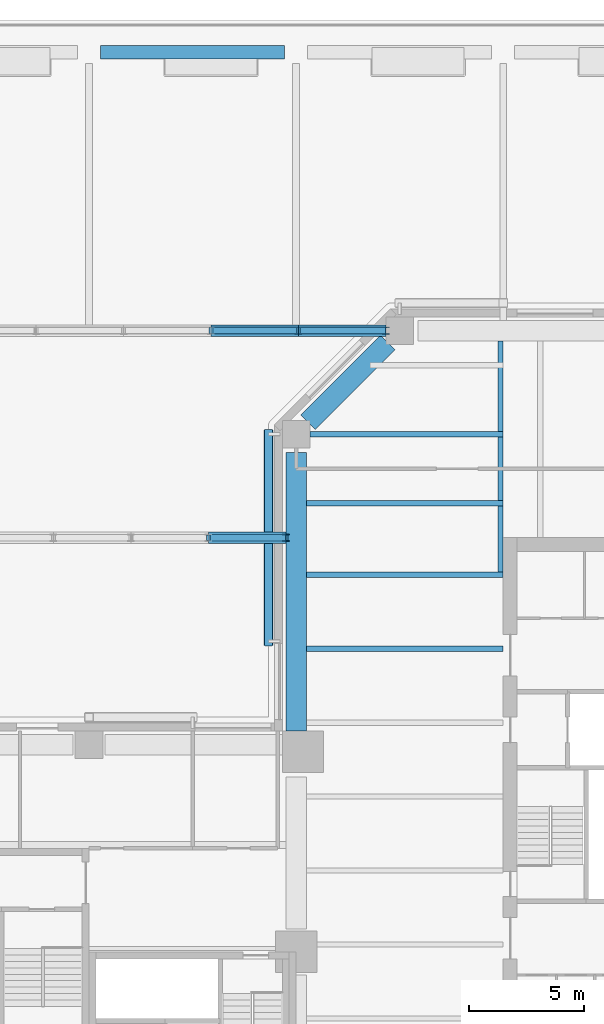
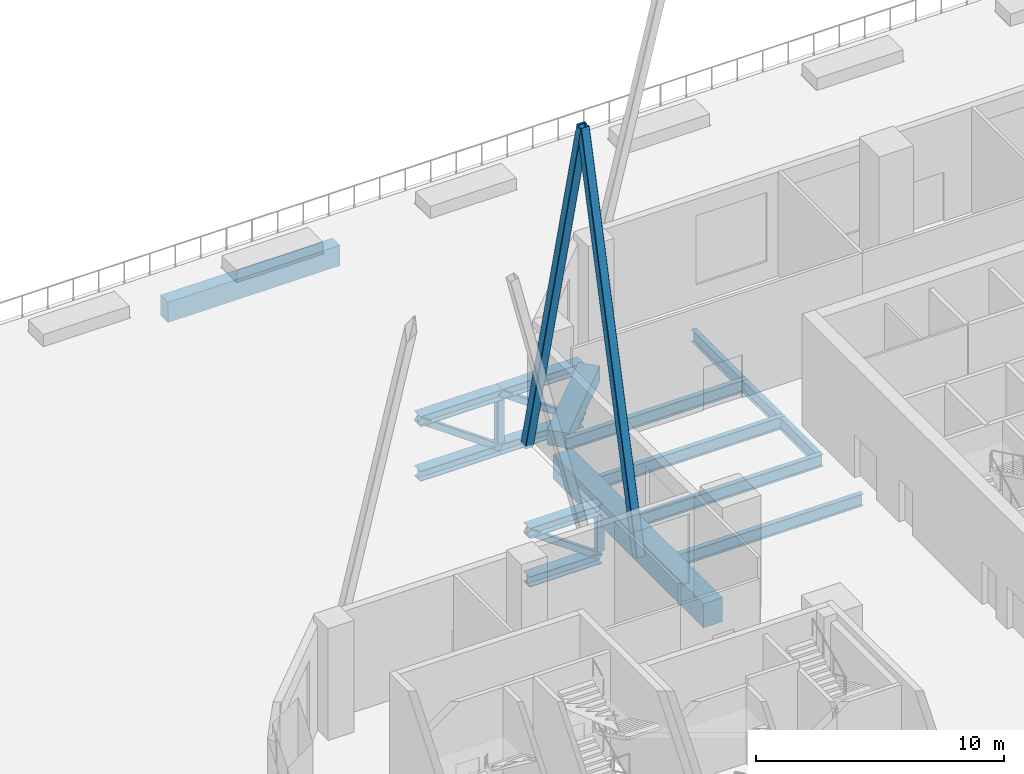
# One storey, part 13 of 33: 11 beams, 11 members.
"""IFC4 building model written with IfcOpenShell, lengths in metres."""

import ifcopenshell
import ifcopenshell.guid

model = None  # the IFC model being written
_history = None  # IfcOwnerHistory: only IFC2X3 demands one
_inside = {}  # id of a spatial element -> (the spatial element, [elements in it])
_under = {}  # id of a project, library or spatial element -> (it, [spatial elements below it])
_declared = {}  # id of a project -> (the project, [libraries it declares])
_typed = {}  # id of a type object -> (the type object, [elements of that type])
_made_of = {}  # id of a material, layer set ... -> (it, [elements and type objects made of it])


def new_model(schema):
    """Start an empty IFC model of exactly this schema.

    Asked for "IFC4X3", IfcOpenShell would pick the latest addendum, in which some entities
    have other attributes; the version numbers below select the first issue.
    IFC2X3 requires an IfcOwnerHistory on every rooted entity: one is made here for all.
    """
    global model, _history
    if schema == "IFC4X3":
        model = ifcopenshell.file(schema_version=(4, 3, 0, 0))
    else:
        model = ifcopenshell.file(schema=schema)
    _inside.clear()
    _under.clear()
    _declared.clear()
    _typed.clear()
    _made_of.clear()
    _history = None
    if model.schema == "IFC2X3":
        org = make("IfcOrganization", Name="unknown")
        user = make(
            "IfcPersonAndOrganization",
            ThePerson=make("IfcPerson", FamilyName="unknown"),
            TheOrganization=org,
        )
        app = make(
            "IfcApplication",
            ApplicationDeveloper=org,
            Version="unknown",
            ApplicationFullName="unknown",
            ApplicationIdentifier="unknown",
        )
        _history = make(
            "IfcOwnerHistory",
            OwningUser=user,
            OwningApplication=app,
            ChangeAction="ADDED",
            CreationDate=0,
        )
    return model


def make(cls, **values):
    """One entity of the class cls with the attributes given. An attribute that is None is left unset."""
    return model.create_entity(
        cls, **{name: value for name, value in values.items() if value is not None}
    )


def rooted(cls, **values):
    """An entity with a GlobalId (a new one), such as an element, a storey or a relation."""
    return make(cls, GlobalId=ifcopenshell.guid.new(), OwnerHistory=_history, **values)


def si_unit(unit_type, name, prefix=None):
    """IfcSIUnit, for example si_unit("LENGTHUNIT", "METRE", prefix="MILLI")."""
    return make("IfcSIUnit", UnitType=unit_type, Prefix=prefix, Name=name)


def assignment(units):
    """IfcUnitAssignment: the units of a project."""
    return None if units is None else make("IfcUnitAssignment", Units=units)


def point(xyz):
    """IfcCartesianPoint."""
    return None if xyz is None else make("IfcCartesianPoint", Coordinates=xyz)


def direction(xyz):
    """IfcDirection."""
    return None if xyz is None else make("IfcDirection", DirectionRatios=xyz)


def frame(location, z_axis=None, x_axis=None):
    """IfcAxis2Placement3D, a coordinate frame: its origin and axes. An axis left out is left unset."""
    return make(
        "IfcAxis2Placement3D",
        Location=point(location),
        Axis=direction(z_axis),
        RefDirection=direction(x_axis),
    )


def frame_2d(location, x_axis=None):
    """IfcAxis2Placement2D, a coordinate frame in the plane: its origin and x axis."""
    return make(
        "IfcAxis2Placement2D", Location=point(location), RefDirection=direction(x_axis)
    )


def origin():
    """The frame at (0, 0, 0) with its axes left unset."""
    return frame((0.0, 0.0, 0.0))


def origin_2d():
    """The frame at (0, 0) in the plane with its x axis left unset."""
    return frame_2d((0.0, 0.0))


def place(relative_to, where):
    """IfcLocalPlacement: puts the frame where relative to a parent placement (None: the world)."""
    return make(
        "IfcLocalPlacement", PlacementRelTo=relative_to, RelativePlacement=where
    )


def context(
    kind, dimensions, precision=None, world=None, true_north=None, identifier=None
):
    """IfcGeometricRepresentationContext, for example the 3D "Model" context."""
    return make(
        "IfcGeometricRepresentationContext",
        ContextIdentifier=identifier,
        ContextType=kind,
        CoordinateSpaceDimension=dimensions,
        Precision=precision,
        WorldCoordinateSystem=world,
        TrueNorth=true_north,
    )


def subcontext(parent, identifier, kind, view, scale=None):
    """IfcGeometricRepresentationSubContext, for example "Body" below "Model"."""
    return make(
        "IfcGeometricRepresentationSubContext",
        ContextIdentifier=identifier,
        ContextType=kind,
        ParentContext=parent,
        TargetScale=scale,
        TargetView=view,
    )


def project(units=None, contexts=None):
    """IfcProject with its units and contexts."""
    return rooted(
        "IfcProject",
        Name="project",
        RepresentationContexts=contexts,
        UnitsInContext=assignment(units),
    )


def spatial(cls, under=None, at=None, **own):
    """A site, building, storey or space (cls), placed at a placement, below another one or the project."""
    s = rooted(cls, ObjectPlacement=at, **own)
    if under is not None:
        _under.setdefault(under.id(), (under, []))[1].append(s)
    return s


def profile(cls, at=None, kind="AREA", **sizes):
    """A parametric profile (cls). Its sizes go by their IFC names, for example OverallWidth=200.0."""
    return make(cls, ProfileType=kind, Position=at, **sizes)


def rectangle(**sizes):
    """IfcRectangleProfileDef."""
    return profile("IfcRectangleProfileDef", **sizes)


def hollow_rectangle(**sizes):
    """IfcRectangleHollowProfileDef."""
    return profile("IfcRectangleHollowProfileDef", **sizes)


def i_section(**sizes):
    """IfcIShapeProfileDef."""
    return profile("IfcIShapeProfileDef", **sizes)


def extrude(swept, where, along, depth):
    """IfcExtrudedAreaSolid: the profile swept, set in the frame where, extruded along a direction by depth."""
    return make(
        "IfcExtrudedAreaSolid",
        SweptArea=swept,
        Position=where,
        ExtrudedDirection=direction(along),
        Depth=depth,
    )


def shape(context_of_items, identifier, shape_type, items):
    """IfcShapeRepresentation: the items that make up one representation, for example the "Body"."""
    return make(
        "IfcShapeRepresentation",
        ContextOfItems=context_of_items,
        RepresentationIdentifier=identifier,
        RepresentationType=shape_type,
        Items=items,
    )


def material(Name=None, Category=None):
    """IfcMaterial."""
    return make("IfcMaterial", Name=Name, Category=Category)


def material_profile(
    of_material, cross_section, Name=None, Category=None, Priority=None
):
    """IfcMaterialProfile: a cross section and its material."""
    return make(
        "IfcMaterialProfile",
        Name=Name,
        Material=of_material,
        Profile=cross_section,
        Priority=Priority,
        Category=Category,
    )


def profile_set(profiles, Name=None, composite=None):
    """IfcMaterialProfileSet."""
    return make(
        "IfcMaterialProfileSet",
        Name=Name,
        MaterialProfiles=profiles,
        CompositeProfile=composite,
    )


def made_of(thing, what):
    """Note that an element or type object is made of a material, layer set ...; save() writes the relation."""
    if what is not None:
        _made_of.setdefault(what.id(), (what, []))[1].append(thing)
    return thing


def type_object(cls, material=None, **own):
    """A type object (cls), such as IfcWallType, which elements share."""
    return made_of(rooted(cls, **own), material)


def element(
    cls,
    number,
    at=None,
    inside=None,
    cuts=None,
    type_object=None,
    material=None,
    context=None,
    identifier="Body",
    shape_type=None,
    held_by="IfcProductDefinitionShape",
    body=None,
    shapes=None,
    **own,
):
    """One element of the class cls, such as IfcWall. Its Tag is "e" and its number.

    at: its placement. inside: the storey or other place that contains it. cuts: it is an
    opening in that element (IfcRelVoidsElement). A single representation is given by context,
    identifier, shape_type and body (its items); several are given by shapes. held_by: the class
    of the entity that holds the representations. save() writes the other relations.
    """
    e = rooted(cls, Tag="e%d" % number, ObjectPlacement=at, **own)
    if body is not None:
        shapes = [shape(context, identifier, shape_type, body)]
    if shapes is not None:
        e.Representation = make(held_by, Representations=shapes)
    if inside is not None:
        _inside.setdefault(inside.id(), (inside, []))[1].append(e)
    if cuts is not None:
        rooted(
            "IfcRelVoidsElement", RelatingBuildingElement=cuts, RelatedOpeningElement=e
        )
    if type_object is not None:
        _typed.setdefault(type_object.id(), (type_object, []))[1].append(e)
    return made_of(e, material)


def aggregate(whole, parts):
    """IfcRelAggregates: a whole, such as a stair, and the parts it consists of."""
    return rooted("IfcRelAggregates", RelatingObject=whole, RelatedObjects=parts)


def save(model, path):
    """Write the relations noted so far, then the file.

    IfcRelAggregates (storeys below a building ...), IfcRelContainedInSpatialStructure (elements
    in a storey), IfcRelDefinesByType, IfcRelAssociatesMaterial and IfcRelDeclares: one each for
    every whole, place, type object, material and project.
    """
    for whole, parts in _under.values():
        aggregate(whole, parts)
    for where, things in _inside.values():
        rooted(
            "IfcRelContainedInSpatialStructure",
            RelatedElements=things,
            RelatingStructure=where,
        )
    for kind, things in _typed.values():
        rooted("IfcRelDefinesByType", RelatedObjects=things, RelatingType=kind)
    for what, things in _made_of.values():
        rooted("IfcRelAssociatesMaterial", RelatedObjects=things, RelatingMaterial=what)
    for by, libraries in _declared.values():
        rooted("IfcRelDeclares", RelatingContext=by, RelatedDefinitions=libraries)
    model.write(path)


model = new_model("IFC4")

# Units and contexts
model_context = context("Model", 3, precision=1e-05, world=origin(), true_north=direction((0.0, 1.0)))
body_context = subcontext(model_context, "Body", "Model", "MODEL_VIEW")
ifc_project = project(units=[si_unit("LENGTHUNIT", "METRE"), si_unit("AREAUNIT", "SQUARE_METRE"), si_unit("VOLUMEUNIT", "CUBIC_METRE"), si_unit("PLANEANGLEUNIT", "RADIAN"), si_unit("MASSUNIT", "GRAM", prefix="KILO")], contexts=[model_context])

# Site, building, storey
site_placement = place(None, origin())
site = spatial("IfcSite", under=ifc_project, at=site_placement, CompositionType="ELEMENT")
building_placement = place(site_placement, origin())
building = spatial("IfcBuilding", under=site, at=building_placement, Name="Quoin Convention Tower", CompositionType="ELEMENT")
storey_placement = place(building_placement, frame((0.0, 0.0, 8.0)))
storey = spatial("IfcBuildingStorey", under=building, at=storey_placement, Name="L01", CompositionType="ELEMENT", Elevation=8.0)

# Members
ifc_material_1 = material(Name="Steel C450L0", Category="steel")
ifc_material_profile_1 = material_profile(ifc_material_1, hollow_rectangle(XDim=0.300048828125, YDim=0.300048828125, WallThickness=0.012451171875, InnerFilletRadius=0.018798828125, OuterFilletRadius=0.03125, at=origin_2d()), Name="300x300x12.5SHS")
ifc_profile_set_1 = profile_set([ifc_material_profile_1], Name="Steel C450L0")
member_type_1 = type_object("IfcMemberType", Name="300x300x12.5SHS", PredefinedType="BRACE", material=ifc_profile_set_1)
member_1_placement = place(storey_placement, frame((32.18505859375, 72.0, -0.6669921875), z_axis=(0.815744061305, 0.0, -0.578413024097), x_axis=(0.0, 1.0, 0.0)))
element("IfcMember", 1, at=member_1_placement, inside=storey, type_object=member_type_1, Name="Deck truss deck-1900_72000 diagonal 10", PredefinedType="BRACE", context=body_context, shape_type="SweptSolid", body=[
    extrude(hollow_rectangle(XDim=0.300048828125, YDim=0.300048828125, WallThickness=0.012451171875, InnerFilletRadius=0.018798828125, OuterFilletRadius=0.03125, at=origin_2d()), origin(), (0.0, 0.0, 1.0), 4.125),
])
member_2_placement = place(storey_placement, frame((32.300048828125, 81.0, -0.6669921875), z_axis=(0.81659838966, 0.0, -0.577206262964), x_axis=(0.0, 1.0, 0.0)))
element("IfcMember", 2, at=member_2_placement, inside=storey, type_object=member_type_1, Name="Deck truss deck-1900_81000 diagonal 9", PredefinedType="BRACE", context=body_context, shape_type="SweptSolid", body=[
    extrude(hollow_rectangle(XDim=0.300048828125, YDim=0.300048828125, WallThickness=0.012451171875, InnerFilletRadius=0.018798828125, OuterFilletRadius=0.03125, at=origin_2d()), origin(), (0.0, 0.0, 1.0), 4.653564453125),
])
member_3_placement = place(storey_placement, frame((36.10009765625, 81.0, -0.6669921875), z_axis=(0.81658090934, 0.0, -0.577230992326), x_axis=(0.0, 1.0, 0.0)))
element("IfcMember", 3, at=member_3_placement, inside=storey, type_object=member_type_1, Name="Deck truss deck-1900_81000 diagonal 10", PredefinedType="BRACE", context=body_context, shape_type="SweptSolid", body=[
    extrude(hollow_rectangle(XDim=0.300048828125, YDim=0.300048828125, WallThickness=0.012451171875, InnerFilletRadius=0.018798828125, OuterFilletRadius=0.03125, at=origin_2d()), origin(), (0.0, 0.0, 1.0), 4.6533203125),
])
ifc_material_2 = material(Name="Steel Grade 300", Category="steel")
ifc_material_profile_2 = material_profile(ifc_material_2, i_section(OverallWidth=0.304931640625, OverallDepth=0.30810546875, WebThickness=0.010009765625, FlangeThickness=0.015380859375, FilletRadius=0.0166015625, at=origin_2d()), Name="310UC96.8")
ifc_profile_set_2 = profile_set([ifc_material_profile_2], Name="Steel Grade 300")
member_type_2 = type_object("IfcMemberType", Name="310UC96.8", PredefinedType="POST", material=ifc_profile_set_2)
member_4_placement = place(storey_placement, frame((35.550048828125, 72.0, -2.7958984375), z_axis=(0.0, 0.0, 1.0), x_axis=(1.0, 0.0, 0.0)))
element("IfcMember", 4, at=member_4_placement, inside=storey, type_object=member_type_2, Name="Deck truss deck-1900_72000 post 11", PredefinedType="POST", context=body_context, shape_type="SweptSolid", body=[
    extrude(i_section(OverallWidth=0.304931640625, OverallDepth=0.30810546875, WebThickness=0.010009765625, FlangeThickness=0.015380859375, FilletRadius=0.0166015625, at=origin_2d()), origin(), (0.0, 0.0, 1.0), 1.871826171875),
])
for number, where, z_axis, x_axis, name in (
    (5, (36.10009765625, 81.0, -3.095947265625), (0.0, 0.0, 1.0), (1.0, 0.0, 0.0), "Deck truss deck-1900_81000 post 10"),
    (6, (39.89990234375, 81.0, -3.095947265625), (0.0, 0.0, 1.0), (1.0, 0.0, 0.0), "Deck truss deck-1900_81000 post 11"),
):
    element("IfcMember", number, at=place(storey_placement, frame(where, z_axis=z_axis, x_axis=x_axis)), inside=storey, type_object=member_type_2, Name=name, PredefinedType="POST", context=body_context, shape_type="SweptSolid", body=[
        extrude(i_section(OverallWidth=0.304931640625, OverallDepth=0.30810546875, WebThickness=0.010009765625, FlangeThickness=0.015380859375, FilletRadius=0.0166015625, at=origin_2d()), origin(), (0.0, 0.0, 1.0), 2.171875),
    ])
ifc_material_profile_3 = material_profile(ifc_material_2, i_section(OverallWidth=0.5, OverallDepth=0.513916015625, WebThickness=0.02490234375, FlangeThickness=0.031982421875, at=origin_2d()), Name="500WC340")
ifc_profile_set_3 = profile_set([ifc_material_profile_3], Name="Steel Grade 300")
member_type_3 = type_object("IfcMemberType", Name="500WC340", PredefinedType="CHORD", material=ifc_profile_set_3)
member_5_placement = place(storey_placement, frame((32.18505859375, 72.0, -3.052978515625), z_axis=(1.0, 0.0, 0.0), x_axis=(0.0, 1.0, 0.0)))
element("IfcMember", 7, at=member_5_placement, inside=storey, type_object=member_type_3, Name="Deck truss deck-1900_72000 bottom chord 10", PredefinedType="CHORD", context=body_context, shape_type="SweptSolid", body=[
    extrude(i_section(OverallWidth=0.5, OverallDepth=0.513916015625, WebThickness=0.02490234375, FlangeThickness=0.031982421875, at=origin_2d()), origin(), (0.0, 0.0, 1.0), 3.364990234375),
])
member_6_placement = place(storey_placement, frame((32.300048828125, 81.0, -3.35302734375), z_axis=(1.0, 0.0, 0.0), x_axis=(0.0, 1.0, 0.0)))
element("IfcMember", 8, at=member_6_placement, inside=storey, type_object=member_type_3, Name="Deck truss deck-1900_81000 bottom chord 9", PredefinedType="CHORD", context=body_context, shape_type="SweptSolid", body=[
    extrude(i_section(OverallWidth=0.5, OverallDepth=0.513916015625, WebThickness=0.02490234375, FlangeThickness=0.031982421875, at=origin_2d()), origin(), (0.0, 0.0, 1.0), 3.800048828125),
])
member_7_placement = place(storey_placement, frame((36.10009765625, 81.0, -3.35302734375), z_axis=(1.0, 0.0, 0.0), x_axis=(0.0, 1.0, 0.0)))
element("IfcMember", 9, at=member_7_placement, inside=storey, type_object=member_type_3, Name="Deck truss deck-1900_81000 bottom chord 10", PredefinedType="CHORD", context=body_context, shape_type="SweptSolid", body=[
    extrude(i_section(OverallWidth=0.5, OverallDepth=0.513916015625, WebThickness=0.02490234375, FlangeThickness=0.031982421875, at=origin_2d()), origin(), (0.0, 0.0, 1.0), 3.7998046875),
])

# Beams
ifc_material_profile_4 = material_profile(ifc_material_2, i_section(OverallWidth=0.22802734375, OverallDepth=0.60205078125, WebThickness=0.010498046875, FlangeThickness=0.014892578125, FilletRadius=0.013916015625, at=origin_2d()), Name="610UB101")
ifc_profile_set_4 = profile_set([ifc_material_profile_4], Name="Steel Grade 300")
beam_type_1 = type_object("IfcBeamType", Name="610UB101", PredefinedType="BEAM", material=ifc_profile_set_4)
for number, where, z_axis, x_axis, name in (
    (10, (36.449951171875, 67.1787109375, -0.65087890625), (1.0, 0.0, 0.0), (0.0, 1.0, 0.0), "bm-L01-T1W5"),
    (11, (36.449951171875, 70.392822265625, -0.65087890625), (1.0, 0.0, 0.0), (0.0, 1.0, 0.0), "bm-L01-T1W6"),
):
    element("IfcBeam", number, at=place(storey_placement, frame(where, z_axis=z_axis, x_axis=x_axis)), inside=storey, type_object=beam_type_1, Name=name, PredefinedType="BEAM", context=body_context, shape_type="SweptSolid", body=[
        extrude(i_section(OverallWidth=0.22802734375, OverallDepth=0.60205078125, WebThickness=0.010498046875, FlangeThickness=0.014892578125, FilletRadius=0.013916015625, at=origin_2d()), origin(), (0.0, 0.0, 1.0), 8.550048828125),
    ])
beam_1_placement = place(storey_placement, frame((36.60009765625, 76.5, -0.65087890625), z_axis=(1.0, 0.0, 0.0), x_axis=(0.0, 1.0, 0.0)))
element("IfcBeam", 12, at=beam_1_placement, inside=storey, type_object=beam_type_1, Name="bm-L01-T1NW1", PredefinedType="BEAM", context=body_context, shape_type="SweptSolid", body=[
    extrude(i_section(OverallWidth=0.22802734375, OverallDepth=0.60205078125, WebThickness=0.010498046875, FlangeThickness=0.014892578125, FilletRadius=0.013916015625, at=origin_2d()), origin(), (0.0, 0.0, 1.0), 8.39990234375),
])
beam_2_placement = place(storey_placement, frame((36.449951171875, 73.5, -0.65087890625), z_axis=(1.0, 0.0, 0.0), x_axis=(0.0, 1.0, 0.0)))
element("IfcBeam", 13, at=beam_2_placement, inside=storey, type_object=beam_type_1, Name="bm-L01-T1NW2", PredefinedType="BEAM", context=body_context, shape_type="SweptSolid", body=[
    extrude(i_section(OverallWidth=0.22802734375, OverallDepth=0.60205078125, WebThickness=0.010498046875, FlangeThickness=0.014892578125, FilletRadius=0.013916015625, at=origin_2d()), origin(), (0.0, 0.0, 1.0), 8.550048828125),
])
ifc_material_profile_5 = material_profile(ifc_material_2, i_section(OverallWidth=0.22900390625, OverallDepth=0.612060546875, WebThickness=0.011962890625, FlangeThickness=0.01953125, FilletRadius=0.013916015625, at=origin_2d()), Name="610UB125")
ifc_profile_set_5 = profile_set([ifc_material_profile_5], Name="Steel Grade 300")
beam_type_2 = type_object("IfcBeamType", Name="610UB125", PredefinedType="BEAM", material=ifc_profile_set_5)
beam_3_placement = place(storey_placement, frame((44.885498046875, 80.550048828125, -0.656005859375), z_axis=(0.0, -1.0, 0.0), x_axis=(1.0, 0.0, 0.0)))
element("IfcBeam", 14, at=beam_3_placement, inside=storey, type_object=beam_type_2, Name="gir-L01-T1NW", PredefinedType="BEAM", context=body_context, shape_type="SweptSolid", body=[
    extrude(i_section(OverallWidth=0.22900390625, OverallDepth=0.612060546875, WebThickness=0.011962890625, FlangeThickness=0.01953125, FilletRadius=0.013916015625, at=origin_2d()), origin(), (0.0, 0.0, 1.0), 10.043212890625),
])
ifc_material_profile_6 = material_profile(ifc_material_2, i_section(OverallWidth=0.5, OverallDepth=0.513916015625, WebThickness=0.02490234375, FlangeThickness=0.031982421875, at=origin_2d()), Name="500WC340")
ifc_profile_set_6 = profile_set([ifc_material_profile_6], Name="Steel Grade 300")
beam_type_3 = type_object("IfcBeamType", Name="Deck truss chord 500WC340", PredefinedType="BEAM", material=ifc_profile_set_6)
beam_4_placement = place(storey_placement, frame((32.18505859375, 72.0, -0.6669921875), z_axis=(1.0, 0.0, 0.0), x_axis=(0.0, 1.0, 0.0)))
element("IfcBeam", 15, at=beam_4_placement, inside=storey, type_object=beam_type_3, Name="Deck truss deck-1900_72000 top chord 10", PredefinedType="BEAM", context=body_context, shape_type="SweptSolid", body=[
    extrude(i_section(OverallWidth=0.5, OverallDepth=0.513916015625, WebThickness=0.02490234375, FlangeThickness=0.031982421875, at=origin_2d()), origin(), (0.0, 0.0, 1.0), 3.364990234375),
])
beam_5_placement = place(storey_placement, frame((32.300048828125, 81.0, -0.6669921875), z_axis=(1.0, 0.0, 0.0), x_axis=(0.0, 1.0, 0.0)))
element("IfcBeam", 16, at=beam_5_placement, inside=storey, type_object=beam_type_3, Name="Deck truss deck-1900_81000 top chord 9", PredefinedType="BEAM", context=body_context, shape_type="SweptSolid", body=[
    extrude(i_section(OverallWidth=0.5, OverallDepth=0.513916015625, WebThickness=0.02490234375, FlangeThickness=0.031982421875, at=origin_2d()), origin(), (0.0, 0.0, 1.0), 3.800048828125),
])
beam_6_placement = place(storey_placement, frame((36.10009765625, 81.0, -0.6669921875), z_axis=(1.0, 0.0, 0.0), x_axis=(0.0, 1.0, 0.0)))
element("IfcBeam", 17, at=beam_6_placement, inside=storey, type_object=beam_type_3, Name="Deck truss deck-1900_81000 top chord 10", PredefinedType="BEAM", context=body_context, shape_type="SweptSolid", body=[
    extrude(i_section(OverallWidth=0.5, OverallDepth=0.513916015625, WebThickness=0.02490234375, FlangeThickness=0.031982421875, at=origin_2d()), origin(), (0.0, 0.0, 1.0), 3.7998046875),
])

# Members
ifc_material_profile_7 = material_profile(ifc_material_1, hollow_rectangle(XDim=0.39990234375, YDim=0.39990234375, WallThickness=0.01611328125, InnerFilletRadius=0.02392578125, OuterFilletRadius=0.0400390625, at=origin_2d()), Name="400x400x16.0SHS")
ifc_profile_set_7 = profile_set([ifc_material_profile_7], Name="Steel C450L0")
member_type_4 = type_object("IfcMemberType", Name="Exposed brace 400x400x16.0SHS", PredefinedType="BRACE", material=ifc_profile_set_7)
for number, where, z_axis, x_axis, name in (
    (18, (34.800048828125, 76.5, -0.074951171875), (0.0, -0.237564979371, 0.971371649049), (1.0, 0.0, 0.0), "brc-L01-36000_76500-36000_72000"),
    (19, (34.800048828125, 67.5, -0.074951171875), (0.0, 0.237564979371, 0.971371649049), (-1.0, 0.0, 0.0), "brc-L01-36000_72000-36000_67500"),
):
    element("IfcMember", number, at=place(storey_placement, frame(where, z_axis=z_axis, x_axis=x_axis)), inside=storey, type_object=member_type_4, Name=name, PredefinedType="BRACE", context=body_context, shape_type="SweptSolid", body=[
        extrude(hollow_rectangle(XDim=0.39990234375, YDim=0.39990234375, WallThickness=0.01611328125, InnerFilletRadius=0.02392578125, OuterFilletRadius=0.0400390625, at=origin_2d()), origin(), (0.0, 0.0, 1.0), 18.942138671875),
    ])

# Beams
ifc_material_3 = material(Name="Concrete C100 (100 MPa)", Category="concrete")
ifc_material_profile_8 = material_profile(ifc_material_3, rectangle(XDim=0.60009765625, YDim=1.0, at=origin_2d()), Name="RC 600x1000")
ifc_profile_set_8 = profile_set([ifc_material_profile_8], Name="Concrete C100 (100 MPa)")
beam_type_4 = type_object("IfcBeamType", Name="RC 600x1000 C100", PredefinedType="SPANDREL", material=ifc_profile_set_8)
beam_7_placement = place(storey_placement, frame((27.5, 93.10009765625, -0.909912109375), z_axis=(1.0, 0.0, 0.0), x_axis=(0.0, 1.0, 0.0)))
element("IfcBeam", 20, at=beam_7_placement, inside=storey, type_object=beam_type_4, Name="spd-L01-edge-27000_93100-36000_93100", PredefinedType="SPANDREL", context=body_context, shape_type="SweptSolid", body=[
    extrude(rectangle(XDim=0.60009765625, YDim=1.0, at=origin_2d()), origin(), (0.0, 0.0, 1.0), 8.0),
])
ifc_material_profile_9 = material_profile(ifc_material_3, rectangle(XDim=0.89990234375, YDim=1.199951171875, at=origin_2d()), Name="RC 900x1200")
ifc_profile_set_9 = profile_set([ifc_material_profile_9], Name="Concrete C100 (100 MPa)")
beam_type_5 = type_object("IfcBeamType", Name="RC 900x1200 C100", PredefinedType="SPANDREL", material=ifc_profile_set_9)
beam_8_placement = place(storey_placement, frame((36.0, 75.699951171875, -0.949951171875), z_axis=(0.0, -1.0, 0.0), x_axis=(1.0, 0.0, 0.0)))
element("IfcBeam", 21, at=beam_8_placement, inside=storey, type_object=beam_type_5, Name="spd-L01-36000_76500-36000_63000", PredefinedType="SPANDREL", context=body_context, shape_type="SweptSolid", body=[
    extrude(rectangle(XDim=0.89990234375, YDim=1.199951171875, at=origin_2d()), origin(), (0.0, 0.0, 1.0), 12.099853515625),
])
ifc_material_profile_10 = material_profile(ifc_material_3, rectangle(XDim=0.89990234375, YDim=0.75, at=origin_2d()), Name="RC 900x750")
ifc_profile_set_10 = profile_set([ifc_material_profile_10], Name="Concrete C100 (100 MPa)")
beam_type_6 = type_object("IfcBeamType", Name="RC 900x750 C100", PredefinedType="SPANDREL", material=ifc_profile_set_10)
beam_9_placement = place(storey_placement, frame((39.98486328125, 80.48486328125, -0.72509765625), z_axis=(-0.707106781187, -0.707106781187, 0.0), x_axis=(0.707106781187, -0.707106781187, 0.0)))
element("IfcBeam", 22, at=beam_9_placement, inside=storey, type_object=beam_type_6, Name="spd-L01-40500_81000-36000_76500", PredefinedType="SPANDREL", context=body_context, shape_type="SweptSolid", body=[
    extrude(rectangle(XDim=0.89990234375, YDim=0.75, at=origin_2d()), origin(), (0.0, 0.0, 1.0), 4.906982421875),
])

save(model, "model.ifc")
